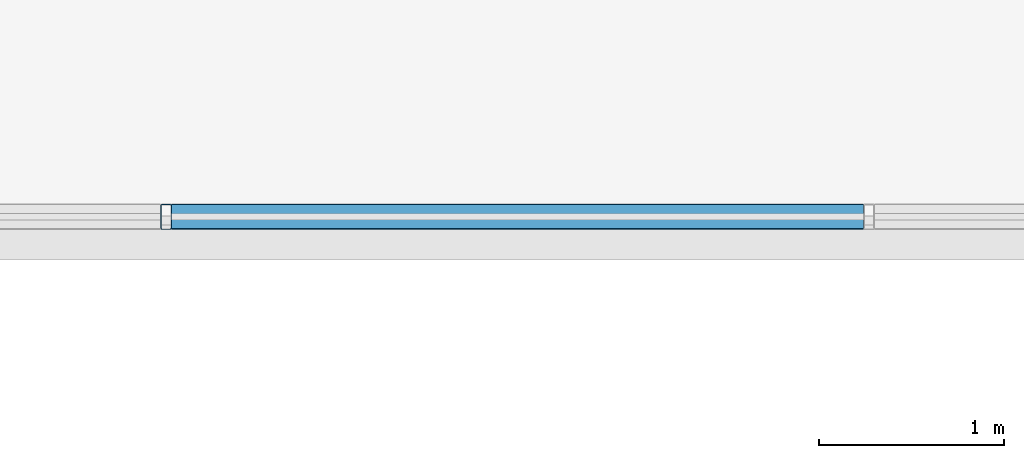
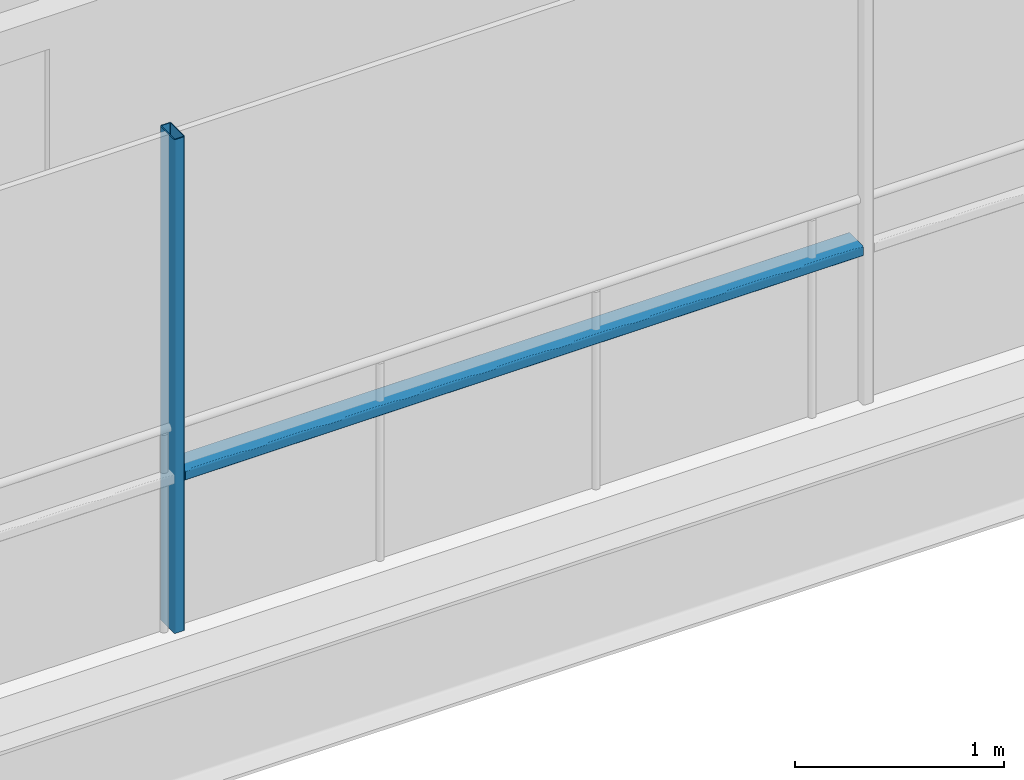
# One storey, part 11 of 40: 2 members, 1 element without a shape of its own.
"""IFC4 building model written with IfcOpenShell, lengths in metres."""

import ifcopenshell
import ifcopenshell.guid

model = None  # the IFC model being written
_history = None  # IfcOwnerHistory: only IFC2X3 demands one
_inside = {}  # id of a spatial element -> (the spatial element, [elements in it])
_under = {}  # id of a project, library or spatial element -> (it, [spatial elements below it])
_declared = {}  # id of a project -> (the project, [libraries it declares])
_typed = {}  # id of a type object -> (the type object, [elements of that type])
_made_of = {}  # id of a material, layer set ... -> (it, [elements and type objects made of it])


def new_model(schema):
    """Start an empty IFC model of exactly this schema.

    Asked for "IFC4X3", IfcOpenShell would pick the latest addendum, in which some entities
    have other attributes; the version numbers below select the first issue.
    IFC2X3 requires an IfcOwnerHistory on every rooted entity: one is made here for all.
    """
    global model, _history
    if schema == "IFC4X3":
        model = ifcopenshell.file(schema_version=(4, 3, 0, 0))
    else:
        model = ifcopenshell.file(schema=schema)
    _inside.clear()
    _under.clear()
    _declared.clear()
    _typed.clear()
    _made_of.clear()
    _history = None
    if model.schema == "IFC2X3":
        org = make("IfcOrganization", Name="unknown")
        user = make(
            "IfcPersonAndOrganization",
            ThePerson=make("IfcPerson", FamilyName="unknown"),
            TheOrganization=org,
        )
        app = make(
            "IfcApplication",
            ApplicationDeveloper=org,
            Version="unknown",
            ApplicationFullName="unknown",
            ApplicationIdentifier="unknown",
        )
        _history = make(
            "IfcOwnerHistory",
            OwningUser=user,
            OwningApplication=app,
            ChangeAction="ADDED",
            CreationDate=0,
        )
    return model


def make(cls, **values):
    """One entity of the class cls with the attributes given. An attribute that is None is left unset."""
    return model.create_entity(
        cls, **{name: value for name, value in values.items() if value is not None}
    )


def rooted(cls, **values):
    """An entity with a GlobalId (a new one), such as an element, a storey or a relation."""
    return make(cls, GlobalId=ifcopenshell.guid.new(), OwnerHistory=_history, **values)


def si_unit(unit_type, name, prefix=None):
    """IfcSIUnit, for example si_unit("LENGTHUNIT", "METRE", prefix="MILLI")."""
    return make("IfcSIUnit", UnitType=unit_type, Prefix=prefix, Name=name)


def assignment(units):
    """IfcUnitAssignment: the units of a project."""
    return None if units is None else make("IfcUnitAssignment", Units=units)


def point(xyz):
    """IfcCartesianPoint."""
    return None if xyz is None else make("IfcCartesianPoint", Coordinates=xyz)


def direction(xyz):
    """IfcDirection."""
    return None if xyz is None else make("IfcDirection", DirectionRatios=xyz)


def frame(location, z_axis=None, x_axis=None):
    """IfcAxis2Placement3D, a coordinate frame: its origin and axes. An axis left out is left unset."""
    return make(
        "IfcAxis2Placement3D",
        Location=point(location),
        Axis=direction(z_axis),
        RefDirection=direction(x_axis),
    )


def frame_2d(location, x_axis=None):
    """IfcAxis2Placement2D, a coordinate frame in the plane: its origin and x axis."""
    return make(
        "IfcAxis2Placement2D", Location=point(location), RefDirection=direction(x_axis)
    )


def origin():
    """The frame at (0, 0, 0) with its axes left unset."""
    return frame((0.0, 0.0, 0.0))


def origin_2d():
    """The frame at (0, 0) in the plane with its x axis left unset."""
    return frame_2d((0.0, 0.0))


def place(relative_to, where):
    """IfcLocalPlacement: puts the frame where relative to a parent placement (None: the world)."""
    return make(
        "IfcLocalPlacement", PlacementRelTo=relative_to, RelativePlacement=where
    )


def context(
    kind, dimensions, precision=None, world=None, true_north=None, identifier=None
):
    """IfcGeometricRepresentationContext, for example the 3D "Model" context."""
    return make(
        "IfcGeometricRepresentationContext",
        ContextIdentifier=identifier,
        ContextType=kind,
        CoordinateSpaceDimension=dimensions,
        Precision=precision,
        WorldCoordinateSystem=world,
        TrueNorth=true_north,
    )


def subcontext(parent, identifier, kind, view, scale=None):
    """IfcGeometricRepresentationSubContext, for example "Body" below "Model"."""
    return make(
        "IfcGeometricRepresentationSubContext",
        ContextIdentifier=identifier,
        ContextType=kind,
        ParentContext=parent,
        TargetScale=scale,
        TargetView=view,
    )


def project(units=None, contexts=None):
    """IfcProject with its units and contexts."""
    return rooted(
        "IfcProject",
        Name="project",
        RepresentationContexts=contexts,
        UnitsInContext=assignment(units),
    )


def spatial(cls, under=None, at=None, **own):
    """A site, building, storey or space (cls), placed at a placement, below another one or the project."""
    s = rooted(cls, ObjectPlacement=at, **own)
    if under is not None:
        _under.setdefault(under.id(), (under, []))[1].append(s)
    return s


def profile(cls, at=None, kind="AREA", **sizes):
    """A parametric profile (cls). Its sizes go by their IFC names, for example OverallWidth=200.0."""
    return make(cls, ProfileType=kind, Position=at, **sizes)


def hollow_rectangle(**sizes):
    """IfcRectangleHollowProfileDef."""
    return profile("IfcRectangleHollowProfileDef", **sizes)


def extrude(swept, where, along, depth):
    """IfcExtrudedAreaSolid: the profile swept, set in the frame where, extruded along a direction by depth."""
    return make(
        "IfcExtrudedAreaSolid",
        SweptArea=swept,
        Position=where,
        ExtrudedDirection=direction(along),
        Depth=depth,
    )


def shape(context_of_items, identifier, shape_type, items):
    """IfcShapeRepresentation: the items that make up one representation, for example the "Body"."""
    return make(
        "IfcShapeRepresentation",
        ContextOfItems=context_of_items,
        RepresentationIdentifier=identifier,
        RepresentationType=shape_type,
        Items=items,
    )


def material(Name=None, Category=None):
    """IfcMaterial."""
    return make("IfcMaterial", Name=Name, Category=Category)


def layer(
    of_material, thickness, ventilated=None, Name=None, Category=None, Priority=None
):
    """IfcMaterialLayer: one layer of a wall or slab, of a material (None: an air gap)."""
    return make(
        "IfcMaterialLayer",
        Material=of_material,
        LayerThickness=thickness,
        IsVentilated=ventilated,
        Name=Name,
        Category=Category,
        Priority=Priority,
    )


def layer_set(layers, Name=None):
    """IfcMaterialLayerSet."""
    return make("IfcMaterialLayerSet", MaterialLayers=layers, LayerSetName=Name)


def material_profile(
    of_material, cross_section, Name=None, Category=None, Priority=None
):
    """IfcMaterialProfile: a cross section and its material."""
    return make(
        "IfcMaterialProfile",
        Name=Name,
        Material=of_material,
        Profile=cross_section,
        Priority=Priority,
        Category=Category,
    )


def profile_set(profiles, Name=None, composite=None):
    """IfcMaterialProfileSet."""
    return make(
        "IfcMaterialProfileSet",
        Name=Name,
        MaterialProfiles=profiles,
        CompositeProfile=composite,
    )


def made_of(thing, what):
    """Note that an element or type object is made of a material, layer set ...; save() writes the relation."""
    if what is not None:
        _made_of.setdefault(what.id(), (what, []))[1].append(thing)
    return thing


def type_object(cls, material=None, **own):
    """A type object (cls), such as IfcWallType, which elements share."""
    return made_of(rooted(cls, **own), material)


def element(
    cls,
    number,
    at=None,
    inside=None,
    cuts=None,
    type_object=None,
    material=None,
    context=None,
    identifier="Body",
    shape_type=None,
    held_by="IfcProductDefinitionShape",
    body=None,
    shapes=None,
    **own,
):
    """One element of the class cls, such as IfcWall. Its Tag is "e" and its number.

    at: its placement. inside: the storey or other place that contains it. cuts: it is an
    opening in that element (IfcRelVoidsElement). A single representation is given by context,
    identifier, shape_type and body (its items); several are given by shapes. held_by: the class
    of the entity that holds the representations. save() writes the other relations.
    """
    e = rooted(cls, Tag="e%d" % number, ObjectPlacement=at, **own)
    if body is not None:
        shapes = [shape(context, identifier, shape_type, body)]
    if shapes is not None:
        e.Representation = make(held_by, Representations=shapes)
    if inside is not None:
        _inside.setdefault(inside.id(), (inside, []))[1].append(e)
    if cuts is not None:
        rooted(
            "IfcRelVoidsElement", RelatingBuildingElement=cuts, RelatedOpeningElement=e
        )
    if type_object is not None:
        _typed.setdefault(type_object.id(), (type_object, []))[1].append(e)
    return made_of(e, material)


def aggregate(whole, parts):
    """IfcRelAggregates: a whole, such as a stair, and the parts it consists of."""
    return rooted("IfcRelAggregates", RelatingObject=whole, RelatedObjects=parts)


def save(model, path):
    """Write the relations noted so far, then the file.

    IfcRelAggregates (storeys below a building ...), IfcRelContainedInSpatialStructure (elements
    in a storey), IfcRelDefinesByType, IfcRelAssociatesMaterial and IfcRelDeclares: one each for
    every whole, place, type object, material and project.
    """
    for whole, parts in _under.values():
        aggregate(whole, parts)
    for where, things in _inside.values():
        rooted(
            "IfcRelContainedInSpatialStructure",
            RelatedElements=things,
            RelatingStructure=where,
        )
    for kind, things in _typed.values():
        rooted("IfcRelDefinesByType", RelatedObjects=things, RelatingType=kind)
    for what, things in _made_of.values():
        rooted("IfcRelAssociatesMaterial", RelatedObjects=things, RelatingMaterial=what)
    for by, libraries in _declared.values():
        rooted("IfcRelDeclares", RelatingContext=by, RelatedDefinitions=libraries)
    model.write(path)


model = new_model("IFC4")

# Units and contexts
model_context = context("Model", 3, precision=1e-05, world=origin(), true_north=direction((0.0, 1.0)))
body_context = subcontext(model_context, "Body", "Model", "MODEL_VIEW")
ifc_project = project(units=[si_unit("LENGTHUNIT", "METRE"), si_unit("AREAUNIT", "SQUARE_METRE"), si_unit("VOLUMEUNIT", "CUBIC_METRE"), si_unit("PLANEANGLEUNIT", "RADIAN"), si_unit("MASSUNIT", "GRAM", prefix="KILO")], contexts=[model_context])

# Site, building, storey
site_placement = place(None, origin())
site = spatial("IfcSite", under=ifc_project, at=site_placement, CompositionType="ELEMENT")
building_placement = place(site_placement, origin())
building = spatial("IfcBuilding", under=site, at=building_placement, Name="Brevholm Reach", CompositionType="ELEMENT")
storey_placement = place(building_placement, frame((0.0, 0.0, 119.0)))
storey = spatial("IfcBuildingStorey", under=building, at=storey_placement, Name="L35", CompositionType="ELEMENT", Elevation=119.0)

# Curtain wall, members
ifc_material_1 = material(Name="Dark Anodised Aluminium 6063-T6 and Solar-Control Glass", Category="aluminium")
ifc_layer = layer(ifc_material_1, 0.139892578125)
ifc_layer_set = layer_set([ifc_layer], Name="Dark Anodised Aluminium 6063-T6 and Solar-Control Glass")
curtain_wall_type = type_object("IfcCurtainWallType", Name="CW-02", PredefinedType="NOTDEFINED", material=ifc_layer_set)
curtain_wall_placement = place(storey_placement, origin())
curtain_wall = element("IfcCurtainWall", 1, at=curtain_wall_placement, inside=storey, type_object=curtain_wall_type, Name="L35 Curtain Wall CW-02", PredefinedType="NOTDEFINED")
ifc_material_2 = material(Name="Dark Anodised Aluminium 6063-T6", Category="aluminium")
ifc_material_profile_1 = material_profile(ifc_material_2, hollow_rectangle(XDim=0.06005859375, YDim=0.139892578125, WallThickness=0.0048828125, InnerFilletRadius=0.0048828125, OuterFilletRadius=0.010009765625, at=origin_2d()), Name="RHS 140x60x5")
ifc_profile_set_1 = profile_set([ifc_material_profile_1], Name="Dark Anodised Aluminium 6063-T6")
member_type_1 = type_object("IfcMemberType", Name="CWM-140", PredefinedType="MULLION", material=ifc_profile_set_1)
member_1_placement = place(storey_placement, frame((30.050048828125, 26.6201171875, 0.0), z_axis=(0.0, 0.0, 1.0), x_axis=(-1.0, 0.0, 0.0)))
member_1 = element("IfcMember", 2, at=member_1_placement, type_object=member_type_1, Name="CM-140 Mullion 3", PredefinedType="MULLION", context=body_context, shape_type="SweptSolid", body=[
    extrude(hollow_rectangle(XDim=0.06005859375, YDim=0.139892578125, WallThickness=0.0048828125, InnerFilletRadius=0.0048828125, OuterFilletRadius=0.010009765625, at=origin_2d()), origin(), (0.0, 0.0, 1.0), 2.8798828125),
])
ifc_material_3 = material(Name="Dark Anodised Aluminium 6063-T6", Category="aluminium")
ifc_material_profile_2 = material_profile(ifc_material_3, hollow_rectangle(XDim=0.06005859375, YDim=0.139892578125, WallThickness=0.0048828125, InnerFilletRadius=0.0048828125, OuterFilletRadius=0.010009765625, at=origin_2d()), Name="RHS 140x60x5")
ifc_profile_set_2 = profile_set([ifc_material_profile_2], Name="Dark Anodised Aluminium 6063-T6")
member_type_2 = type_object("IfcMemberType", Name="CWT-140", PredefinedType="NOTDEFINED", material=ifc_profile_set_2)
member_2_placement = place(storey_placement, frame((33.820068359375, 26.6201171875, 0.89990234375), z_axis=(-1.0, 0.0, 0.0), x_axis=(0.0, 0.0, 1.0)))
member_2 = element("IfcMember", 3, at=member_2_placement, type_object=member_type_2, Name="CT-140 Transom 2.1", ObjectType="TRANSOM", PredefinedType="USERDEFINED", context=body_context, shape_type="SweptSolid", body=[
    extrude(hollow_rectangle(XDim=0.06005859375, YDim=0.139892578125, WallThickness=0.0048828125, InnerFilletRadius=0.0048828125, OuterFilletRadius=0.010009765625, at=origin_2d()), origin(), (0.0, 0.0, 1.0), 3.739990234375),
])
aggregate(curtain_wall, [member_1, member_2])

save(model, "model.ifc")
